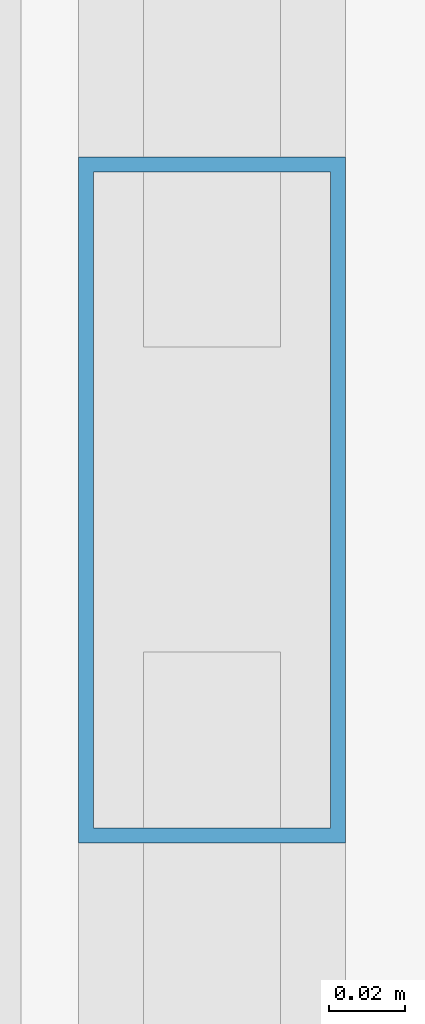
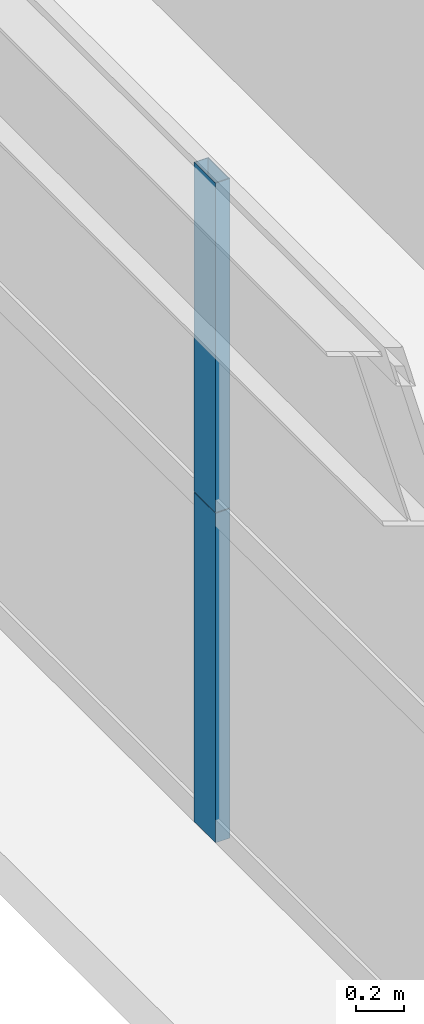
# One storey, part 22 of 43: 2 members, 1 element without a shape of its own.
"""IFC4 building model written with IfcOpenShell, lengths in metres."""

from ifc_helpers import new_model, si_unit, direction, frame, origin, origin_2d, place, context, subcontext, project, spatial, hollow_rectangle, extrude, source, transform, mapped, material, layer, layer_set, material_profile, profile_set, type_object, element, aggregate, save


model = new_model("IFC4")

# Units and contexts
model_context = context("Model", 3, precision=1e-05, world=origin(), true_north=direction((0.0, 1.0)))
body_context = subcontext(model_context, "Body", "Model", "MODEL_VIEW")
ifc_project = project(units=[si_unit("LENGTHUNIT", "METRE"), si_unit("AREAUNIT", "SQUARE_METRE"), si_unit("VOLUMEUNIT", "CUBIC_METRE"), si_unit("PLANEANGLEUNIT", "RADIAN"), si_unit("MASSUNIT", "GRAM", prefix="KILO"), si_unit("THERMODYNAMICTEMPERATUREUNIT", "KELVIN"), si_unit("POWERUNIT", "WATT")], contexts=[model_context])

# Site, building, storey
site_placement = place(None, origin())
site = spatial("IfcSite", under=ifc_project, at=site_placement, CompositionType="ELEMENT")
building_placement = place(site_placement, origin())
building = spatial("IfcBuilding", under=site, at=building_placement, Name="Yuzanri Waterfront Tower", CompositionType="ELEMENT")
storey_placement = place(building_placement, frame((0.0, 0.0, 60.39990234375)))
storey = spatial("IfcBuildingStorey", under=building, at=storey_placement, Name="L15", CompositionType="ELEMENT", Elevation=60.39990234375)

# Curtain wall, members
ifc_material_1 = material(Name="Anodized Architectural Bronze", Category="metal")
ifc_layer = layer(ifc_material_1, 0.159912109375)
ifc_layer_set = layer_set([ifc_layer], Name="Anodized Architectural Bronze")
curtain_wall_type = type_object("IfcCurtainWallType", Name="Anodized Bronze Hotel Lower-Tier Recessed Unitized Curtain Wall 8100", PredefinedType="NOTDEFINED", material=ifc_layer_set)
curtain_wall_placement = place(storey_placement, origin())
curtain_wall = element("IfcCurtainWall", 1, at=curtain_wall_placement, inside=storey, type_object=curtain_wall_type, Name="L15 Curtain Wall CW-L15-WR", PredefinedType="NOTDEFINED")
ifc_material_2 = material(Name="Anodized Architectural Bronze", Category="metal")
ifc_material_profile = material_profile(ifc_material_2, hollow_rectangle(XDim=0.070068359375, YDim=0.179931640625, WallThickness=0.00390625, at=origin_2d()), Name="CWM 70x180")
ifc_profile_set = profile_set([ifc_material_profile], Name="Anodized Architectural Bronze")
member_type = type_object("IfcMemberType", Name="Anodized Bronze Standard Curtain-Wall Mullion 70x180", PredefinedType="MULLION", material=ifc_profile_set)
shared_shape = source(origin(), body_context, "Body", "SweptSolid", [
    extrude(hollow_rectangle(XDim=0.070068359375, YDim=0.179931640625, WallThickness=0.00390625, at=origin_2d()), origin(), (0.0, 0.0, 1.0), 1.68798828125),
])
member_1_placement = place(storey_placement, frame((12.050048828125, 34.89990234375, 0.0), z_axis=(0.0, 0.0, 1.0), x_axis=(1.0, 0.0, 0.0)))
member_1 = element("IfcMember", 2, at=member_1_placement, type_object=member_type, Name="CW-L15-WR Lower Mullion 01", PredefinedType="MULLION", context=body_context, shape_type="MappedRepresentation", body=[
    mapped(shared_shape, transform((0.0, 0.0, 0.0), scale=1.0)),
])
member_2_placement = place(storey_placement, frame((12.050048828125, 34.89990234375, 1.692138671875), z_axis=(0.0, 0.0, 1.0), x_axis=(1.0, 0.0, 0.0)))
member_2 = element("IfcMember", 3, at=member_2_placement, type_object=member_type, Name="CW-L15-WR Upper Mullion 01", PredefinedType="MULLION", context=body_context, shape_type="MappedRepresentation", body=[
    mapped(shared_shape, transform((0.0, 0.0, 0.0), scale=1.0)),
])
aggregate(curtain_wall, [member_1, member_2])

save(model, "model.ifc")
